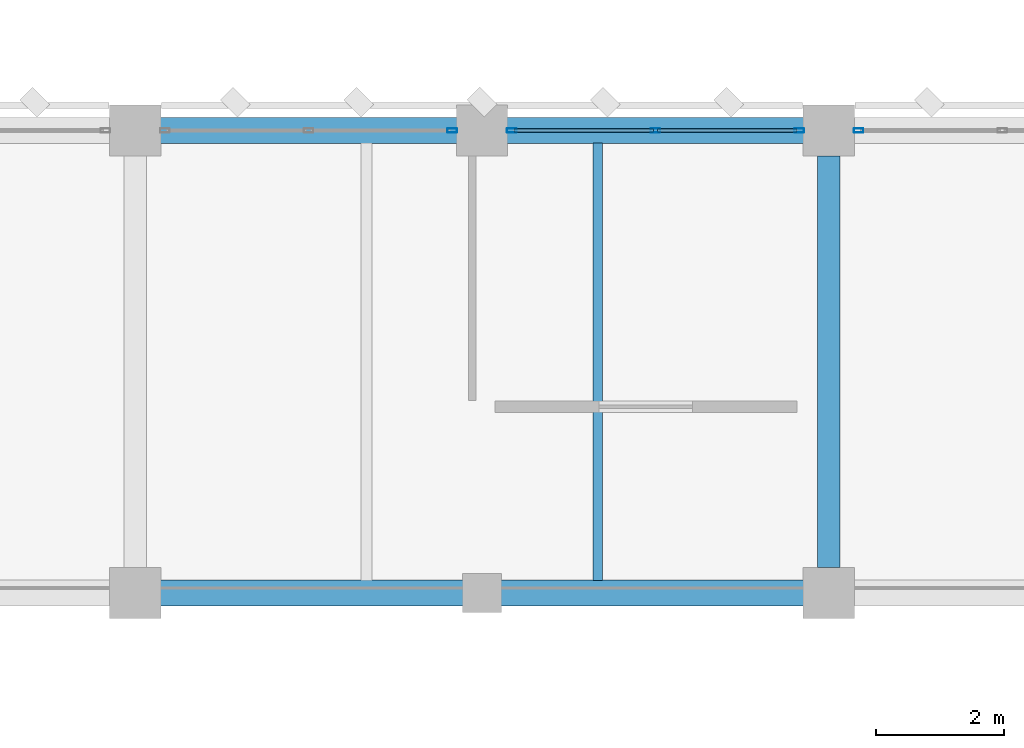
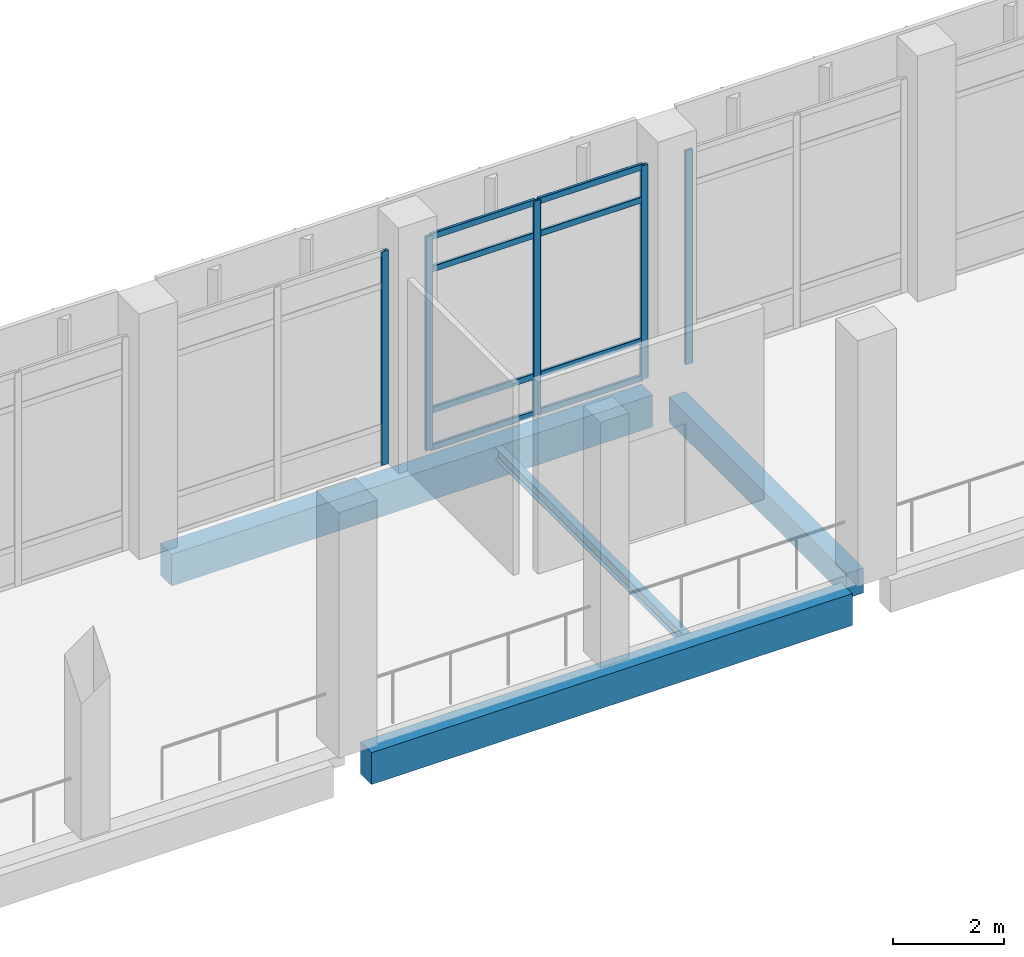
# One storey, part 29 of 180: 13 members, 4 beams, 3 elements without a shape of their own.
"""IFC4 building model written with IfcOpenShell, lengths in metres."""

from ifc_helpers import new_model, si_unit, direction, frame, origin, origin_2d, place, context, subcontext, project, spatial, rectangle, hollow_rectangle, i_section, extrude, material, material_profile, profile_set, type_object, element, aggregate, save


model = new_model("IFC4")

# Units and contexts
model_context = context("Model", 3, precision=1e-05, world=origin(), true_north=direction((0.0, 1.0)))
body_context = subcontext(model_context, "Body", "Model", "MODEL_VIEW")
ifc_project = project(units=[si_unit("LENGTHUNIT", "METRE"), si_unit("AREAUNIT", "SQUARE_METRE"), si_unit("VOLUMEUNIT", "CUBIC_METRE"), si_unit("PLANEANGLEUNIT", "RADIAN"), si_unit("MASSUNIT", "GRAM", prefix="KILO")], contexts=[model_context])

# Site, building, storey
site_placement = place(None, origin())
site = spatial("IfcSite", under=ifc_project, at=site_placement, CompositionType="ELEMENT")
building_placement = place(site_placement, origin())
building = spatial("IfcBuilding", under=site, at=building_placement, Name="Lusvemor Sports Hall", CompositionType="ELEMENT")
storey_placement = place(building_placement, frame((0.0, 0.0, 5.39990234375)))
storey = spatial("IfcBuildingStorey", under=building, at=storey_placement, Name="L01", CompositionType="ELEMENT", Elevation=5.39990234375)

# Beam
ifc_material_1 = material(Name="Concrete C40/50", Category="concrete")
ifc_material_profile_1 = material_profile(ifc_material_1, rectangle(XDim=0.35009765625, YDim=0.550048828125, at=origin_2d()), Name="RC350x550")
ifc_profile_set_1 = profile_set([ifc_material_profile_1], Name="Concrete C40/50")
beam_type_1 = type_object("IfcBeamType", Name="BEAM_RC_550", PredefinedType="BEAM", material=ifc_profile_set_1)
beam_1_placement = place(storey_placement, frame((43.199951171875, 39.99609375, -0.554931640625), z_axis=(0.0, 1.0, 0.0), x_axis=(-1.0, 0.0, 0.0)))
element("IfcBeam", 1, at=beam_1_placement, inside=storey, type_object=beam_type_1, Name="Beam L01 5:E-F", PredefinedType="BEAM", context=body_context, shape_type="SweptSolid", body=[
    extrude(rectangle(XDim=0.35009765625, YDim=0.550048828125, at=origin_2d()), origin(), (0.0, 0.0, 1.0), 6.407958984375),
])

# Curtain wall, member
ifc_material_2 = material(Name="Thermally broken bronze-anodized aluminium", Category="aluminium")
curtain_wall_type = type_object("IfcCurtainWallType", Name="CW_COURT_C", PredefinedType="NOTDEFINED", material=ifc_material_2)
curtain_wall_1_placement = place(storey_placement, origin())
curtain_wall_1 = element("IfcCurtainWall", 2, at=curtain_wall_1_placement, inside=storey, type_object=curtain_wall_type, Name="Curtain Wall CW-V1N-L01-3-A", PredefinedType="NOTDEFINED")
ifc_material_3 = material(Name="Thermally broken bronze-anodized aluminium", Category="aluminium")
ifc_material_profile_2 = material_profile(ifc_material_3, hollow_rectangle(XDim=0.06494140625, YDim=0.14990234375, WallThickness=0.00390625, InnerFilletRadius=0.00390625, OuterFilletRadius=0.008056640625, at=origin_2d()), Name="CWMUL150x65x4")
ifc_profile_set_2 = profile_set([ifc_material_profile_2], Name="Thermally broken bronze-anodized aluminium")
member_type_1 = type_object("IfcMemberType", Name="CW_MUL_B", PredefinedType="MULLION", material=ifc_profile_set_2)
member_1_placement = place(storey_placement, frame((37.33740234375, 46.800048828125, 0.0), z_axis=(0.0, 0.0, 1.0), x_axis=(0.0, 1.0, 0.0)))
member_1 = element("IfcMember", 3, at=member_1_placement, type_object=member_type_1, Name="CW03 mullion 3", PredefinedType="MULLION", context=body_context, shape_type="SweptSolid", body=[
    extrude(hollow_rectangle(XDim=0.06494140625, YDim=0.14990234375, WallThickness=0.00390625, InnerFilletRadius=0.00390625, OuterFilletRadius=0.008056640625, at=origin_2d()), origin(), (0.0, 0.0, 1.0), 4.7001953125),
])
aggregate(curtain_wall_1, [member_1])

# Curtain wall, members
curtain_wall_2_placement = place(storey_placement, origin())
curtain_wall_2 = element("IfcCurtainWall", 4, at=curtain_wall_2_placement, inside=storey, type_object=curtain_wall_type, Name="Curtain Wall CW-V1N-L01-3-B", PredefinedType="NOTDEFINED")
member_2_placement = place(storey_placement, frame((38.262451171875, 46.800048828125, 0.0), z_axis=(0.0, 0.0, 1.0), x_axis=(0.0, 1.0, 0.0)))
member_2 = element("IfcMember", 5, at=member_2_placement, type_object=member_type_1, Name="CW03 mullion 1", PredefinedType="MULLION", context=body_context, shape_type="SweptSolid", body=[
    extrude(hollow_rectangle(XDim=0.06494140625, YDim=0.14990234375, WallThickness=0.00390625, InnerFilletRadius=0.00390625, OuterFilletRadius=0.008056640625, at=origin_2d()), origin(), (0.0, 0.0, 1.0), 4.7001953125),
])
member_3_placement = place(storey_placement, frame((40.5, 46.800048828125, 0.0), z_axis=(0.0, 0.0, 1.0), x_axis=(0.0, 1.0, 0.0)))
member_3 = element("IfcMember", 6, at=member_3_placement, type_object=member_type_1, Name="CW03 mullion 2", PredefinedType="MULLION", context=body_context, shape_type="SweptSolid", body=[
    extrude(hollow_rectangle(XDim=0.06494140625, YDim=0.14990234375, WallThickness=0.00390625, InnerFilletRadius=0.00390625, OuterFilletRadius=0.008056640625, at=origin_2d()), origin(), (0.0, 0.0, 1.0), 4.7001953125),
])
member_4_placement = place(storey_placement, frame((42.737548828125, 46.800048828125, 0.0), z_axis=(0.0, 0.0, 1.0), x_axis=(0.0, 1.0, 0.0)))
member_4 = element("IfcMember", 7, at=member_4_placement, type_object=member_type_1, Name="CW03 mullion 3", PredefinedType="MULLION", context=body_context, shape_type="SweptSolid", body=[
    extrude(hollow_rectangle(XDim=0.06494140625, YDim=0.14990234375, WallThickness=0.00390625, InnerFilletRadius=0.00390625, OuterFilletRadius=0.008056640625, at=origin_2d()), origin(), (0.0, 0.0, 1.0), 4.7001953125),
])

# Curtain wall, member
curtain_wall_3_placement = place(storey_placement, origin())
curtain_wall_3 = element("IfcCurtainWall", 8, at=curtain_wall_3_placement, inside=storey, type_object=curtain_wall_type, Name="Curtain Wall CW-V1N-L01-4-A", PredefinedType="NOTDEFINED")
member_5_placement = place(storey_placement, frame((43.66259765625, 46.800048828125, 0.0), z_axis=(0.0, 0.0, 1.0), x_axis=(0.0, 1.0, 0.0)))
member_5 = element("IfcMember", 9, at=member_5_placement, type_object=member_type_1, Name="CW03 mullion 1", PredefinedType="MULLION", context=body_context, shape_type="SweptSolid", body=[
    extrude(hollow_rectangle(XDim=0.06494140625, YDim=0.14990234375, WallThickness=0.00390625, InnerFilletRadius=0.00390625, OuterFilletRadius=0.008056640625, at=origin_2d()), origin(), (0.0, 0.0, 1.0), 4.7001953125),
])
aggregate(curtain_wall_3, [member_5])

# Member
ifc_material_4 = material(Name="Thermally broken bronze-anodized aluminium", Category="aluminium")
ifc_material_profile_3 = material_profile(ifc_material_4, hollow_rectangle(XDim=0.06005859375, YDim=0.135009765625, WallThickness=0.00390625, InnerFilletRadius=0.00390625, OuterFilletRadius=0.008056640625, at=origin_2d()), Name="CWTRN135x60x4")
ifc_profile_set_3 = profile_set([ifc_material_profile_3], Name="Thermally broken bronze-anodized aluminium")
member_type_2 = type_object("IfcMemberType", Name="CW_TRN_B", PredefinedType="USERDEFINED", material=ifc_profile_set_3)
member_6_placement = place(storey_placement, frame((38.294921875, 46.800048828125, 0.030029296875), z_axis=(1.0, 0.0, 0.0), x_axis=(0.0, 1.0, 0.0)))
member_6 = element("IfcMember", 10, at=member_6_placement, type_object=member_type_2, Name="CW03 transom 1.1", ObjectType="TRANSOM", PredefinedType="USERDEFINED", context=body_context, shape_type="SweptSolid", body=[
    extrude(hollow_rectangle(XDim=0.06005859375, YDim=0.135009765625, WallThickness=0.00390625, InnerFilletRadius=0.00390625, OuterFilletRadius=0.008056640625, at=origin_2d()), origin(), (0.0, 0.0, 1.0), 2.172607421875),
])

member_7_placement = place(storey_placement, frame((38.294921875, 46.800048828125, 0.85009765625), z_axis=(1.0, 0.0, 0.0), x_axis=(0.0, 1.0, 0.0)))
member_7 = element("IfcMember", 11, at=member_7_placement, type_object=member_type_2, Name="CW03 transom 1.2", ObjectType="TRANSOM", PredefinedType="USERDEFINED", context=body_context, shape_type="SweptSolid", body=[
    extrude(hollow_rectangle(XDim=0.06005859375, YDim=0.135009765625, WallThickness=0.00390625, InnerFilletRadius=0.00390625, OuterFilletRadius=0.008056640625, at=origin_2d()), origin(), (0.0, 0.0, 1.0), 2.172607421875),
])

member_8_placement = place(storey_placement, frame((38.294921875, 46.800048828125, 3.9501953125), z_axis=(1.0, 0.0, 0.0), x_axis=(0.0, 1.0, 0.0)))
member_8 = element("IfcMember", 12, at=member_8_placement, type_object=member_type_2, Name="CW03 transom 1.3", ObjectType="TRANSOM", PredefinedType="USERDEFINED", context=body_context, shape_type="SweptSolid", body=[
    extrude(hollow_rectangle(XDim=0.06005859375, YDim=0.135009765625, WallThickness=0.00390625, InnerFilletRadius=0.00390625, OuterFilletRadius=0.008056640625, at=origin_2d()), origin(), (0.0, 0.0, 1.0), 2.172607421875),
])

member_9_placement = place(storey_placement, frame((38.294921875, 46.800048828125, 4.670166015625), z_axis=(1.0, 0.0, 0.0), x_axis=(0.0, 1.0, 0.0)))
member_9 = element("IfcMember", 13, at=member_9_placement, type_object=member_type_2, Name="CW03 transom 1.4", ObjectType="TRANSOM", PredefinedType="USERDEFINED", context=body_context, shape_type="SweptSolid", body=[
    extrude(hollow_rectangle(XDim=0.06005859375, YDim=0.135009765625, WallThickness=0.00390625, InnerFilletRadius=0.00390625, OuterFilletRadius=0.008056640625, at=origin_2d()), origin(), (0.0, 0.0, 1.0), 2.172607421875),
])

member_10_placement = place(storey_placement, frame((40.532470703125, 46.800048828125, 0.030029296875), z_axis=(1.0, 0.0, 0.0), x_axis=(0.0, 1.0, 0.0)))
member_10 = element("IfcMember", 14, at=member_10_placement, type_object=member_type_2, Name="CW03 transom 2.1", ObjectType="TRANSOM", PredefinedType="USERDEFINED", context=body_context, shape_type="SweptSolid", body=[
    extrude(hollow_rectangle(XDim=0.06005859375, YDim=0.135009765625, WallThickness=0.00390625, InnerFilletRadius=0.00390625, OuterFilletRadius=0.008056640625, at=origin_2d()), origin(), (0.0, 0.0, 1.0), 2.172607421875),
])

member_11_placement = place(storey_placement, frame((40.532470703125, 46.800048828125, 0.85009765625), z_axis=(1.0, 0.0, 0.0), x_axis=(0.0, 1.0, 0.0)))
member_11 = element("IfcMember", 15, at=member_11_placement, type_object=member_type_2, Name="CW03 transom 2.2", ObjectType="TRANSOM", PredefinedType="USERDEFINED", context=body_context, shape_type="SweptSolid", body=[
    extrude(hollow_rectangle(XDim=0.06005859375, YDim=0.135009765625, WallThickness=0.00390625, InnerFilletRadius=0.00390625, OuterFilletRadius=0.008056640625, at=origin_2d()), origin(), (0.0, 0.0, 1.0), 2.172607421875),
])

member_12_placement = place(storey_placement, frame((40.532470703125, 46.800048828125, 3.9501953125), z_axis=(1.0, 0.0, 0.0), x_axis=(0.0, 1.0, 0.0)))
member_12 = element("IfcMember", 16, at=member_12_placement, type_object=member_type_2, Name="CW03 transom 2.3", ObjectType="TRANSOM", PredefinedType="USERDEFINED", context=body_context, shape_type="SweptSolid", body=[
    extrude(hollow_rectangle(XDim=0.06005859375, YDim=0.135009765625, WallThickness=0.00390625, InnerFilletRadius=0.00390625, OuterFilletRadius=0.008056640625, at=origin_2d()), origin(), (0.0, 0.0, 1.0), 2.172607421875),
])

member_13_placement = place(storey_placement, frame((40.532470703125, 46.800048828125, 4.670166015625), z_axis=(1.0, 0.0, 0.0), x_axis=(0.0, 1.0, 0.0)))
member_13 = element("IfcMember", 17, at=member_13_placement, type_object=member_type_2, Name="CW03 transom 2.4", ObjectType="TRANSOM", PredefinedType="USERDEFINED", context=body_context, shape_type="SweptSolid", body=[
    extrude(hollow_rectangle(XDim=0.06005859375, YDim=0.135009765625, WallThickness=0.00390625, InnerFilletRadius=0.00390625, OuterFilletRadius=0.008056640625, at=origin_2d()), origin(), (0.0, 0.0, 1.0), 2.172607421875),
])

aggregate(curtain_wall_2, [member_2, member_3, member_4, member_6, member_7, member_8, member_9, member_10, member_11, member_12, member_13])

# Beams
ifc_material_5 = material(Name="Steel S355", Category="steel")
ifc_material_profile_4 = material_profile(ifc_material_5, i_section(OverallWidth=0.14794921875, OverallDepth=0.26611328125, WebThickness=0.007568359375, FlangeThickness=0.012939453125, FilletRadius=0.012939453125, at=origin_2d()), Name="W250x44.8")
ifc_profile_set_4 = profile_set([ifc_material_profile_4], Name="Steel S355")
beam_type_2 = type_object("IfcBeamType", Name="JOIST_ST_250M", PredefinedType="JOIST", material=ifc_profile_set_4)
beam_2_placement = place(storey_placement, frame((39.60009765625, 39.7958984375, -0.4169921875), z_axis=(0.0, 1.0, 0.0), x_axis=(-1.0, 0.0, 0.0)))
element("IfcBeam", 18, at=beam_2_placement, inside=storey, type_object=beam_type_2, Name="Secondary Joist L01 4-5/E-F #2", PredefinedType="JOIST", context=body_context, shape_type="SweptSolid", body=[
    extrude(i_section(OverallWidth=0.14794921875, OverallDepth=0.26611328125, WebThickness=0.007568359375, FlangeThickness=0.012939453125, FilletRadius=0.012939453125, at=origin_2d()), origin(), (0.0, 0.0, 1.0), 6.80810546875),
])
ifc_material_6 = material(Name="Concrete C40/50", Category="concrete")
ifc_material_profile_5 = material_profile(ifc_material_6, rectangle(XDim=0.39990234375, YDim=0.699951171875, at=origin_2d()), Name="RC400x700")
ifc_profile_set_5 = profile_set([ifc_material_profile_5], Name="Concrete C40/50")
beam_type_3 = type_object("IfcBeamType", Name="SPAND_EXT_700", PredefinedType="SPANDREL", material=ifc_profile_set_5)
for number, where, z_axis, x_axis, name in (
    (19, (32.7958984375, 39.60009765625, -0.6298828125), (1.0, 0.0, 0.0), (0.0, 1.0, 0.0), "Beam L01 E:4-5"),
    (20, (32.7958984375, 46.800048828125, -0.6298828125), (1.0, 0.0, 0.0), (0.0, 1.0, 0.0), "Beam L01 F:4-5"),
):
    element("IfcBeam", number, at=place(storey_placement, frame(where, z_axis=z_axis, x_axis=x_axis)), inside=storey, type_object=beam_type_3, Name=name, PredefinedType="SPANDREL", context=body_context, shape_type="SweptSolid", body=[
        extrude(rectangle(XDim=0.39990234375, YDim=0.699951171875, at=origin_2d()), origin(), (0.0, 0.0, 1.0), 10.008056640625),
    ])

save(model, "model.ifc")
